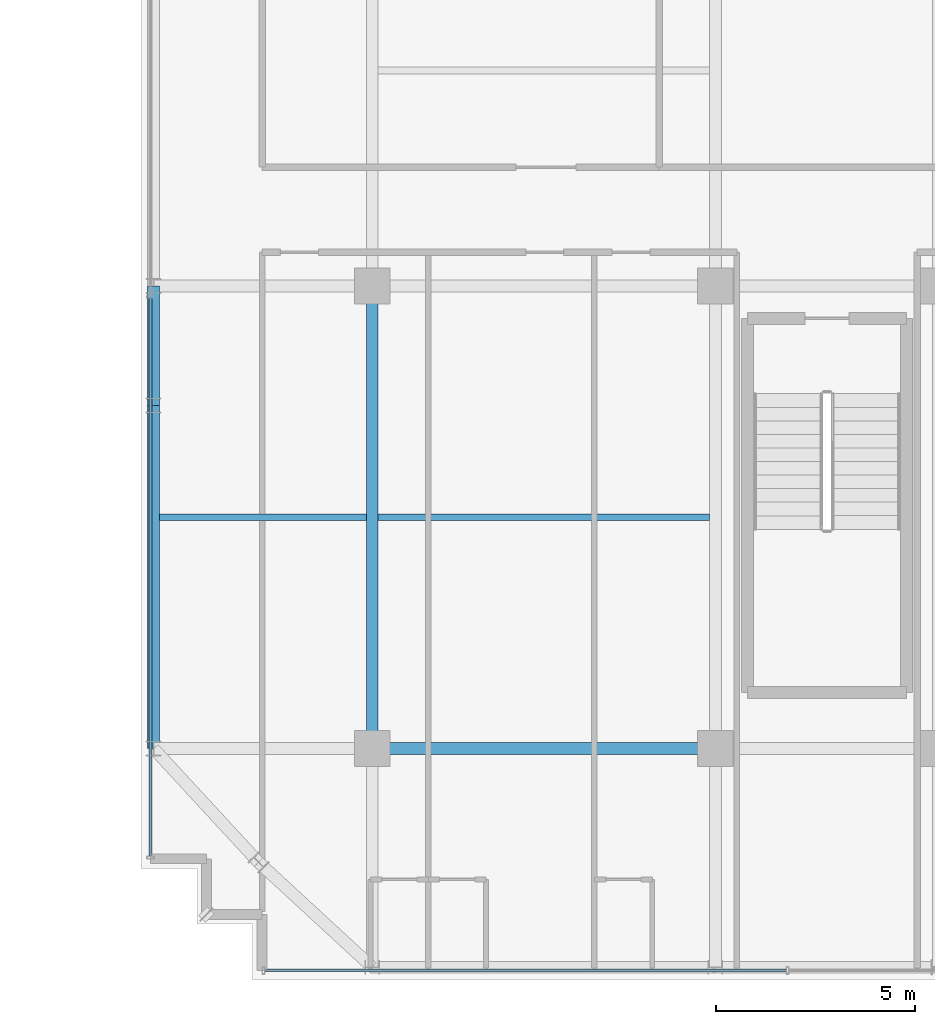
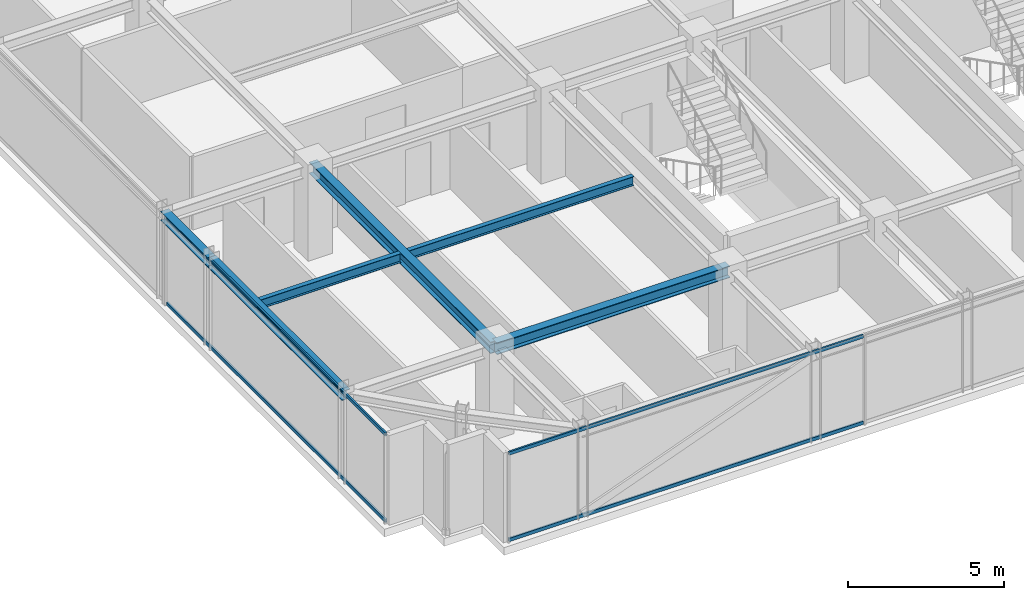
# One storey, part 5 of 36: 6 beams, 4 members, 2 elements without a shape of their own.
"""IFC4 building model written with IfcOpenShell, lengths in metres."""

from ifc_helpers import new_model, si_unit, direction, frame, origin, origin_2d, place, context, subcontext, project, spatial, hollow_rectangle, i_section, extrude, source, transform, mapped, material, material_profile, profile_set, type_object, element, aggregate, save


model = new_model("IFC4")

# Units and contexts
model_context = context("Model", 3, precision=1e-05, world=origin(), true_north=direction((0.0, 1.0)))
body_context = subcontext(model_context, "Body", "Model", "MODEL_VIEW")
ifc_project = project(units=[si_unit("LENGTHUNIT", "METRE"), si_unit("AREAUNIT", "SQUARE_METRE"), si_unit("VOLUMEUNIT", "CUBIC_METRE"), si_unit("PLANEANGLEUNIT", "RADIAN"), si_unit("MASSUNIT", "GRAM", prefix="KILO")], contexts=[model_context])

# Site, building, storey
site_placement = place(None, origin())
site = spatial("IfcSite", under=ifc_project, at=site_placement, CompositionType="ELEMENT")
building_placement = place(site_placement, origin())
building = spatial("IfcBuilding", under=site, at=building_placement, Name="Nahalor Promenade Grand Hotel", CompositionType="ELEMENT")
storey_placement = place(building_placement, frame((0.0, 0.0, 319.550048828125)))
storey = spatial("IfcBuildingStorey", under=building, at=storey_placement, Name="L82", CompositionType="ELEMENT", Elevation=319.550048828125)

# Beams
ifc_material_1 = material(Name="Steel S355JR", Category="steel")
ifc_material_profile_1 = material_profile(ifc_material_1, i_section(OverallWidth=0.3, OverallDepth=0.45, WebThickness=0.014, FlangeThickness=0.026, at=origin_2d()), Name="HEB 450")
ifc_profile_set_1 = profile_set([ifc_material_profile_1], Name="Steel S355JR")
beam_type_1 = type_object("IfcBeamType", Name="Beam-Girder-HEB450", PredefinedType="BEAM", material=ifc_profile_set_1)
shared_shape_1 = source(origin(), body_context, "Body", "SweptSolid", [
    extrude(i_section(OverallWidth=0.3, OverallDepth=0.45, WebThickness=0.014, FlangeThickness=0.026, at=origin_2d()), origin(), (0.0, 0.0, 1.0), 8.60009765625),
])
beam_1_placement = place(storey_placement, frame((-17.0, -17.0, 3.27490234375), z_axis=(1.0, 0.0, 0.0), x_axis=(0.0, 1.0, 0.0)))
element("IfcBeam", 1, at=beam_1_placement, inside=storey, type_object=beam_type_1, Name="BM-L82-GX-0-1", PredefinedType="BEAM", context=body_context, shape_type="MappedRepresentation", body=[
    mapped(shared_shape_1, transform((0.0, 0.0, 0.0), scale=1.0)),
])
shared_shape_2 = source(origin(), body_context, "Body", "SweptSolid", [
    extrude(i_section(OverallWidth=0.3, OverallDepth=0.45, WebThickness=0.014, FlangeThickness=0.026, at=origin_2d()), origin(), (0.0, 0.0, 1.0), 11.60009765625),
])
beam_2_placement = place(storey_placement, frame((-17.0, -17.0, 3.27490234375), z_axis=(0.0, 1.0, 0.0), x_axis=(-1.0, 0.0, 0.0)))
element("IfcBeam", 2, at=beam_2_placement, inside=storey, type_object=beam_type_1, Name="BM-L82-GY-0-1", PredefinedType="BEAM", context=body_context, shape_type="MappedRepresentation", body=[
    mapped(shared_shape_2, transform((0.0, 0.0, 0.0), scale=1.0)),
])
ifc_material_profile_2 = material_profile(ifc_material_1, i_section(OverallWidth=0.3, OverallDepth=0.36, WebThickness=0.0125, FlangeThickness=0.0225, at=origin_2d()), Name="HEB 360")
ifc_profile_set_2 = profile_set([ifc_material_profile_2], Name="Steel S355JR")
beam_type_2 = type_object("IfcBeamType", Name="Beam-Spandrel-HEB360", PredefinedType="SPANDREL", material=ifc_profile_set_2)
shared_shape_3 = source(origin(), body_context, "Body", "SweptSolid", [
    extrude(i_section(OverallWidth=0.3, OverallDepth=0.36, WebThickness=0.0125, FlangeThickness=0.0225, at=origin_2d()), origin(), (0.0, 0.0, 1.0), 8.60009765625),
])
beam_3_placement = place(storey_placement, frame((-22.47998046875, -17.0, 3.320068359375), z_axis=(0.0, 1.0, 0.0), x_axis=(-1.0, 0.0, 0.0)))
element("IfcBeam", 3, at=beam_3_placement, inside=storey, type_object=beam_type_2, Name="BM-L82-SP-W-0", PredefinedType="SPANDREL", context=body_context, shape_type="MappedRepresentation", body=[
    mapped(shared_shape_3, transform((0.0, 0.0, 0.0), scale=1.0)),
])
shared_shape_4 = source(origin(), body_context, "Body", "SweptSolid", [
    extrude(i_section(OverallWidth=0.3, OverallDepth=0.36, WebThickness=0.0125, FlangeThickness=0.0225, at=origin_2d()), origin(), (0.0, 0.0, 1.0), 3.0),
])
beam_4_placement = place(storey_placement, frame((-22.47998046875, -8.39990234375, 3.320068359375), z_axis=(0.0, 1.0, 0.0), x_axis=(-1.0, 0.0, 0.0)))
element("IfcBeam", 4, at=beam_4_placement, inside=storey, type_object=beam_type_2, Name="BM-L82-SP-W-1", PredefinedType="SPANDREL", context=body_context, shape_type="MappedRepresentation", body=[
    mapped(shared_shape_4, transform((0.0, 0.0, 0.0), scale=1.0)),
])
ifc_material_profile_3 = material_profile(ifc_material_1, i_section(OverallWidth=0.17, OverallDepth=0.36, WebThickness=0.008, FlangeThickness=0.0127, at=origin_2d()), Name="IPE 360")
ifc_profile_set_3 = profile_set([ifc_material_profile_3], Name="Steel S355JR")
beam_type_3 = type_object("IfcBeamType", Name="Beam-Joist-IPE360", PredefinedType="JOIST", material=ifc_profile_set_3)
shared_shape_5 = source(origin(), body_context, "Body", "SweptSolid", [
    extrude(i_section(OverallWidth=0.17, OverallDepth=0.36, WebThickness=0.008, FlangeThickness=0.0127, at=origin_2d()), origin(), (0.0, 0.0, 1.0), 5.18017578125),
])
beam_5_placement = place(storey_placement, frame((-22.330078125, -11.199951171875, 3.320068359375), z_axis=(1.0, 0.0, 0.0), x_axis=(0.0, 1.0, 0.0)))
element("IfcBeam", 5, at=beam_5_placement, inside=storey, type_object=beam_type_3, Name="BM-L82-JSW-0-0", PredefinedType="JOIST", context=body_context, shape_type="MappedRepresentation", body=[
    mapped(shared_shape_5, transform((0.0, 0.0, 0.0), scale=1.0)),
])
shared_shape_6 = source(origin(), body_context, "Body", "SweptSolid", [
    extrude(i_section(OverallWidth=0.17, OverallDepth=0.36, WebThickness=0.008, FlangeThickness=0.0127, at=origin_2d()), origin(), (0.0, 0.0, 1.0), 8.300048828125),
])
beam_6_placement = place(storey_placement, frame((-16.85009765625, -11.199951171875, 3.320068359375), z_axis=(1.0, 0.0, 0.0), x_axis=(0.0, 1.0, 0.0)))
element("IfcBeam", 6, at=beam_6_placement, inside=storey, type_object=beam_type_3, Name="BM-L82-JSW-0-1", PredefinedType="JOIST", context=body_context, shape_type="MappedRepresentation", body=[
    mapped(shared_shape_6, transform((0.0, 0.0, 0.0), scale=1.0)),
])

# Curtain wall, members
ifc_material_2 = material(Name="Anodised Bronze Aluminium EN AW-6063 T6", Category="aluminium")
curtain_wall_type = type_object("IfcCurtainWallType", Name="CW2 Typical Hotel Flush Bronze Unitised Curtain Wall", PredefinedType="USERDEFINED", material=ifc_material_2)
curtain_wall_1_placement = place(storey_placement, origin())
curtain_wall_1 = element("IfcCurtainWall", 7, at=curtain_wall_1_placement, inside=storey, type_object=curtain_wall_type, Name="L82 Curtain Wall CW-L82-W-1", ObjectType="UNITISED_CURTAIN_WALL", PredefinedType="USERDEFINED")
ifc_material_profile_4 = material_profile(ifc_material_2, hollow_rectangle(XDim=0.065, YDim=0.13, WallThickness=0.004, at=origin_2d()), Name="CWT 65x130x4")
ifc_profile_set_4 = profile_set([ifc_material_profile_4], Name="Anodised Bronze Aluminium EN AW-6063 T6")
member_type = type_object("IfcMemberType", Name="CWT2 Typical Bronze Transom 65x130", PredefinedType="USERDEFINED", material=ifc_profile_set_4)
shared_shape_7 = source(origin(), body_context, "Body", "SweptSolid", [
    extrude(hollow_rectangle(XDim=0.065, YDim=0.13, WallThickness=0.004, at=origin_2d()), origin(), (0.0, 0.0, 1.0), 13.982666015625),
])
member_1_placement = place(storey_placement, frame((-22.56005859375, -19.695068359375, 0.06494140625), z_axis=(0.0, 1.0, 0.0), x_axis=(-1.0, 0.0, 0.0)))
member_1 = element("IfcMember", 8, at=member_1_placement, type_object=member_type, Name="CW-L82-W-1 Transom 0-0", ObjectType="TRANSOM", PredefinedType="USERDEFINED", context=body_context, shape_type="MappedRepresentation", body=[
    mapped(shared_shape_7, transform((0.0, 0.0, 0.0), scale=1.0)),
])
member_2_placement = place(storey_placement, frame((-22.56005859375, -19.695068359375, 3.43505859375), z_axis=(0.0, 1.0, 0.0), x_axis=(-1.0, 0.0, 0.0)))
member_2 = element("IfcMember", 9, at=member_2_placement, type_object=member_type, Name="CW-L82-W-1 Transom 0-1", ObjectType="TRANSOM", PredefinedType="USERDEFINED", context=body_context, shape_type="MappedRepresentation", body=[
    mapped(shared_shape_7, transform((0.0, 0.0, 0.0), scale=1.0)),
])
aggregate(curtain_wall_1, [member_1, member_2])

curtain_wall_2_placement = place(storey_placement, origin())
curtain_wall_2 = element("IfcCurtainWall", 10, at=curtain_wall_2_placement, inside=storey, type_object=curtain_wall_type, Name="L82 Curtain Wall CW-L82-S-1", ObjectType="UNITISED_CURTAIN_WALL", PredefinedType="USERDEFINED")
shared_shape_8 = source(origin(), body_context, "Body", "SweptSolid", [
    extrude(hollow_rectangle(XDim=0.065, YDim=0.13, WallThickness=0.004, at=origin_2d()), origin(), (0.0, 0.0, 1.0), 13.075927734375),
])
member_3_placement = place(storey_placement, frame((-19.695068359375, -22.56005859375, 0.06494140625), z_axis=(1.0, 0.0, 0.0), x_axis=(0.0, 1.0, 0.0)))
member_3 = element("IfcMember", 11, at=member_3_placement, type_object=member_type, Name="CW-L82-S-1 Transom 0-0", ObjectType="TRANSOM", PredefinedType="USERDEFINED", context=body_context, shape_type="MappedRepresentation", body=[
    mapped(shared_shape_8, transform((0.0, 0.0, 0.0), scale=1.0)),
])
member_4_placement = place(storey_placement, frame((-19.695068359375, -22.56005859375, 3.43505859375), z_axis=(1.0, 0.0, 0.0), x_axis=(0.0, 1.0, 0.0)))
member_4 = element("IfcMember", 12, at=member_4_placement, type_object=member_type, Name="CW-L82-S-1 Transom 0-1", ObjectType="TRANSOM", PredefinedType="USERDEFINED", context=body_context, shape_type="MappedRepresentation", body=[
    mapped(shared_shape_8, transform((0.0, 0.0, 0.0), scale=1.0)),
])
aggregate(curtain_wall_2, [member_3, member_4])

save(model, "model.ifc")
